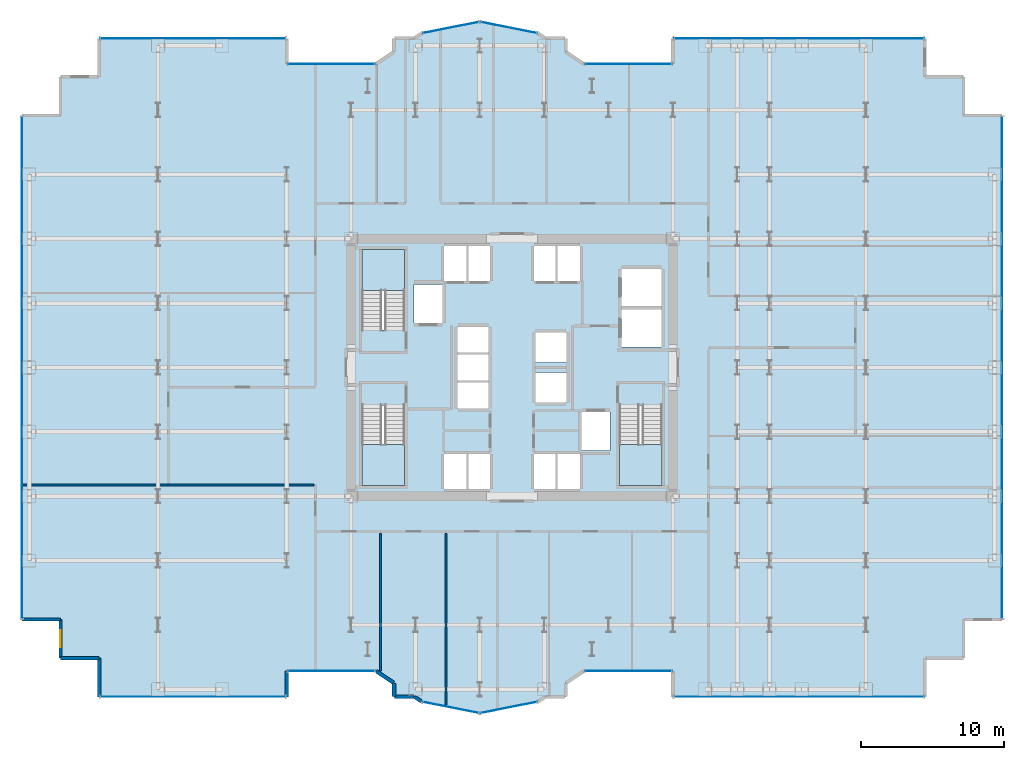
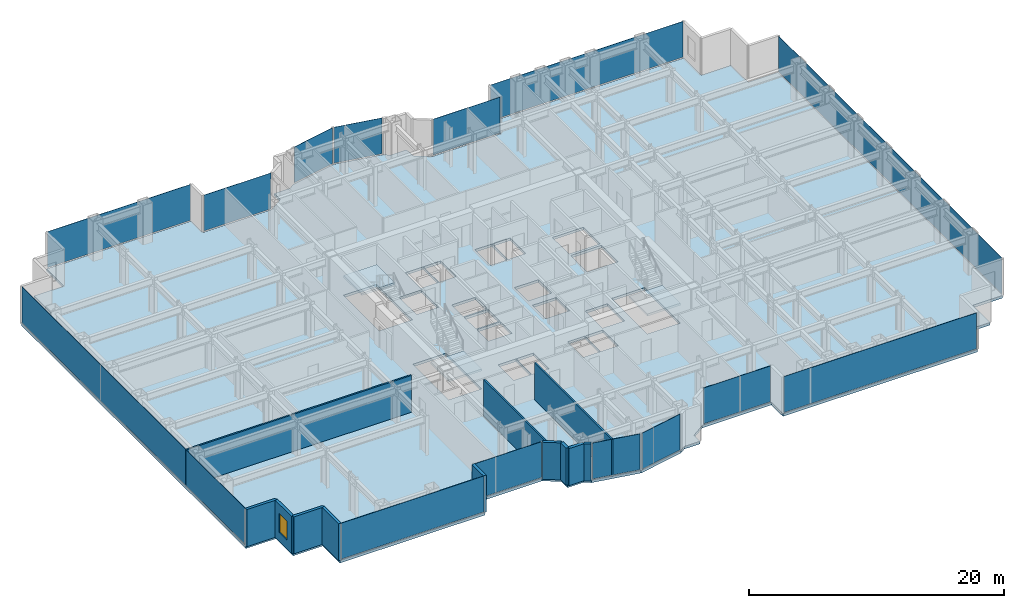
# One storey, part 19 of 26: 14 plates, 12 walls, 4 slabs, 1 window, 1 opening, 17 elements without a shape of their own.
"""IFC4 building model written with IfcOpenShell, lengths in metres."""

from ifc_helpers import new_model, si_unit, direction, frame, frame_2d, origin, origin_2d, place, context, subcontext, project, spatial, polyline, rectangle, outline, extrude, source, transform, mapped, material, layer, layer_set, type_object, element, fill, aggregate, save


model = new_model("IFC4")

# Units and contexts
model_context = context("Model", 3, precision=1e-05, world=origin(), true_north=direction((0.0, 1.0)))
body_context = subcontext(model_context, "Body", "Model", "MODEL_VIEW")
ifc_project = project(units=[si_unit("LENGTHUNIT", "METRE"), si_unit("AREAUNIT", "SQUARE_METRE"), si_unit("VOLUMEUNIT", "CUBIC_METRE"), si_unit("PLANEANGLEUNIT", "RADIAN"), si_unit("MASSUNIT", "GRAM", prefix="KILO")], contexts=[model_context])

# Site, building, storey
site_placement = place(None, origin())
site = spatial("IfcSite", under=ifc_project, at=site_placement, CompositionType="ELEMENT")
building_placement = place(site_placement, origin())
building = spatial("IfcBuilding", under=site, at=building_placement, Name="Nefas-Gora Pilgrimage Tower", CompositionType="ELEMENT")
storey_placement = place(building_placement, frame((0.0, 0.0, 40.60009765625)))
storey = spatial("IfcBuildingStorey", under=building, at=storey_placement, Name="L08", CompositionType="ELEMENT", Elevation=40.60009765625)

# Slab
ifc_material_1 = material(Name="Concrete C40/50", Category="concrete")
ifc_layer_1 = layer(ifc_material_1, 0.25)
ifc_layer_set_1 = layer_set([ifc_layer_1], Name="Concrete C40/50")
slab_type_1 = type_object("IfcSlabType", Name="SLB-TWR-250", PredefinedType="FLOOR", material=ifc_layer_set_1)
slab_1_placement = place(storey_placement, frame((0.0, 0.0, -0.25)))
element("IfcSlab", 1, at=slab_1_placement, inside=storey, type_object=slab_type_1, Name="L08 Structural Floor Slab", PredefinedType="FLOOR", context=body_context, shape_type="SweptSolid", body=[
    extrude(outline(polyline([(5.01806640625, -21.219970703125), (11.25, -21.219970703125), (11.25, -23.02001953125), (28.8701171875, -23.02001953125), (28.8701171875, -20.320068359375), (31.570068359375, -20.320068359375), (31.570068359375, -17.6201171875), (34.27001953125, -17.6201171875), (34.27001953125, 17.6201171875), (31.570068359375, 17.6201171875), (31.570068359375, 20.320068359375), (28.8701171875, 20.320068359375), (28.8701171875, 23.02001953125), (11.25, 23.02001953125), (11.25, 21.219970703125), (5.01806640625, 21.219970703125), (3.75, 22.0673828125), (3.75, 23.02001953125), (2.32421875, 23.02001953125), (1.807373046875, 23.365234375), (-2.25, 24.17236328125), (-6.307373046875, 23.365234375), (-6.82421875, 23.02001953125), (-8.25, 23.02001953125), (-8.25, 22.0673828125), (-9.51806640625, 21.219970703125), (-15.75, 21.219970703125), (-15.75, 23.02001953125), (-28.8701171875, 23.02001953125), (-28.8701171875, 20.320068359375), (-31.570068359375, 20.320068359375), (-31.570068359375, 17.6201171875), (-34.27001953125, 17.6201171875), (-34.27001953125, -17.6201171875), (-31.570068359375, -17.6201171875), (-31.570068359375, -20.320068359375), (-28.8701171875, -20.320068359375), (-28.8701171875, -23.02001953125), (-15.75, -23.02001953125), (-15.75, -21.219970703125), (-9.51806640625, -21.219970703125), (-8.25, -22.0673828125), (-8.25, -23.02001953125), (-6.82421875, -23.02001953125), (-6.307373046875, -23.365234375), (-2.25, -24.17236328125), (1.807373046875, -23.365234375), (2.32421875, -23.02001953125), (3.75, -23.02001953125), (3.75, -22.0673828125), (5.01806640625, -21.219970703125)]), holes=[polyline([(-10.5, 2.639892578125), (-10.5, 8.25), (-7.5, 8.25), (-7.5, 2.639892578125), (-10.5, 2.639892578125)]), polyline([(10.5, -2.639892578125), (10.5, -8.25), (7.5, -8.25), (7.5, -2.639892578125), (10.5, -2.639892578125)]), polyline([(-7.5, -2.639892578125), (-7.5, -8.25), (-10.5, -8.25), (-10.5, -2.639892578125), (-7.5, -2.639892578125)]), polyline([(-6.85009765625, 5.800048828125), (-4.85009765625, 5.800048828125), (-4.85009765625, 3.10009765625), (-6.85009765625, 3.10009765625), (-6.85009765625, 5.800048828125)]), polyline([(4.85009765625, -3.10009765625), (6.85009765625, -3.10009765625), (6.85009765625, -5.800048828125), (4.85009765625, -5.800048828125), (4.85009765625, -3.10009765625)]), polyline([(7.64990234375, 4.050048828125), (10.449951171875, 4.050048828125), (10.449951171875, 1.449951171875), (7.64990234375, 1.449951171875), (7.64990234375, 4.050048828125)]), polyline([(7.64990234375, 6.89990234375), (10.449951171875, 6.89990234375), (10.449951171875, 4.300048828125), (7.64990234375, 4.300048828125), (7.64990234375, 6.89990234375)]), polyline([(-4.75, 8.5), (-3.14990234375, 8.5), (-3.14990234375, 6.050048828125), (-4.75, 6.050048828125), (-4.75, 8.5)]), polyline([(-3.10009765625, 8.5), (-1.550048828125, 8.5), (-1.550048828125, 6.050048828125), (-3.10009765625, 6.050048828125), (-3.10009765625, 8.5)]), polyline([(1.550048828125, 8.5), (3.10009765625, 8.5), (3.10009765625, 6.050048828125), (1.550048828125, 6.050048828125), (1.550048828125, 8.5)]), polyline([(3.14990234375, 8.5), (4.75, 8.5), (4.75, 6.050048828125), (3.14990234375, 6.050048828125), (3.14990234375, 8.5)]), polyline([(-4.75, -6.050048828125), (-3.14990234375, -6.050048828125), (-3.14990234375, -8.5), (-4.75, -8.5), (-4.75, -6.050048828125)]), polyline([(-3.10009765625, -6.050048828125), (-1.550048828125, -6.050048828125), (-1.550048828125, -8.5), (-3.10009765625, -8.5), (-3.10009765625, -6.050048828125)]), polyline([(1.550048828125, -6.050048828125), (3.10009765625, -6.050048828125), (3.10009765625, -8.5), (1.550048828125, -8.5), (1.550048828125, -6.050048828125)]), polyline([(3.14990234375, -6.050048828125), (4.75, -6.050048828125), (4.75, -8.5), (3.14990234375, -8.5), (3.14990234375, -6.050048828125)]), polyline([(-3.800048828125, -1.050048828125), (-1.64990234375, -1.050048828125), (-1.64990234375, -2.85009765625), (-3.800048828125, -2.85009765625), (-3.800048828125, -1.050048828125)]), polyline([(-3.800048828125, 0.89990234375), (-1.64990234375, 0.89990234375), (-1.64990234375, -0.89990234375), (-3.800048828125, -0.89990234375), (-3.800048828125, 0.89990234375)]), polyline([(-3.800048828125, 2.85009765625), (-1.64990234375, 2.85009765625), (-1.64990234375, 1.050048828125), (-3.800048828125, 1.050048828125), (-3.800048828125, 2.85009765625)]), polyline([(1.64990234375, -0.35009765625), (3.800048828125, -0.35009765625), (3.800048828125, -2.449951171875), (1.64990234375, -2.449951171875), (1.64990234375, -0.35009765625)]), polyline([(1.64990234375, 2.449951171875), (3.800048828125, 2.449951171875), (3.800048828125, 0.35009765625), (1.64990234375, 0.35009765625), (1.64990234375, 2.449951171875)])]), origin(), (0.0, 0.0, 1.0), 0.25),
])

# Stair, slab
ifc_material_2 = material(Name="Concrete C45/55", Category="concrete")
stair_type = type_object("IfcStairType", Name="STR-1400-R1727", PredefinedType="HALF_TURN_STAIR", material=ifc_material_2)
stair_1_placement = place(storey_placement, origin())
stair_1 = element("IfcStair", 2, at=stair_1_placement, inside=storey, type_object=stair_type, Name="L08 Pressurised Tower Exit Stair ST-01", PredefinedType="HALF_TURN_STAIR")
ifc_layer_2 = layer(ifc_material_1, 0.199951171875)
ifc_layer_set_2 = layer_set([ifc_layer_2], Name="Concrete C40/50")
slab_type_2 = type_object("IfcSlabType", Name="STR-LAND-200", PredefinedType="LANDING", material=ifc_layer_set_2)
slab_2_placement = place(storey_placement, frame((0.0, 0.0, 1.699951171875)))
slab_2 = element("IfcSlab", 3, at=slab_2_placement, type_object=slab_type_2, Name="ST-01 landing 1", PredefinedType="LANDING", context=body_context, shape_type="SweptSolid", body=[
    extrude(outline(polyline([(-7.5, 5.39990234375), (-7.5, 8.25), (-10.5, 8.25), (-10.5, 5.39990234375), (-7.5, 5.39990234375)])), origin(), (0.0, 0.0, 1.0), 0.199951171875),
])
aggregate(stair_1, [slab_2])

stair_2_placement = place(storey_placement, origin())
stair_2 = element("IfcStair", 4, at=stair_2_placement, inside=storey, type_object=stair_type, Name="L08 Pressurised Tower Exit Stair ST-02", PredefinedType="HALF_TURN_STAIR")
slab_3_placement = place(storey_placement, frame((0.0, 0.0, 1.699951171875)))
slab_3 = element("IfcSlab", 5, at=slab_3_placement, type_object=slab_type_2, Name="ST-02 landing 1", PredefinedType="LANDING", context=body_context, shape_type="SweptSolid", body=[
    extrude(outline(polyline([(7.5, -5.39990234375), (7.5, -8.25), (10.5, -8.25), (10.5, -5.39990234375), (7.5, -5.39990234375)])), origin(), (0.0, 0.0, 1.0), 0.199951171875),
])
aggregate(stair_2, [slab_3])

stair_3_placement = place(storey_placement, origin())
stair_3 = element("IfcStair", 6, at=stair_3_placement, inside=storey, type_object=stair_type, Name="L08 Pressurised Tower Exit Stair ST-03", PredefinedType="HALF_TURN_STAIR")
slab_4_placement = place(storey_placement, frame((0.0, 0.0, 1.699951171875)))
slab_4 = element("IfcSlab", 7, at=slab_4_placement, type_object=slab_type_2, Name="ST-03 landing 1", PredefinedType="LANDING", context=body_context, shape_type="SweptSolid", body=[
    extrude(outline(polyline([(-10.5, -5.39990234375), (-10.5, -8.25), (-7.5, -8.25), (-7.5, -5.39990234375), (-10.5, -5.39990234375)])), origin(), (0.0, 0.0, 1.0), 0.199951171875),
])
aggregate(stair_3, [slab_4])

# Curtain wall, plate
ifc_material_3 = material(Name="Dark ceramic-fritted solar-control aluminium-glass curtain wall", Category="aluminium")
ifc_layer_3 = layer(ifc_material_3, 0.219970703125)
ifc_layer_set_3 = layer_set([ifc_layer_3], Name="Dark ceramic-fritted solar-control aluminium-glass curtain wall")
curtain_wall_type_1 = type_object("IfcCurtainWallType", Name="CW-SYS-5", PredefinedType="NOTDEFINED", material=ifc_layer_set_3)
curtain_wall_1_placement = place(storey_placement, origin())
curtain_wall_1 = element("IfcCurtainWall", 8, at=curtain_wall_1_placement, inside=storey, type_object=curtain_wall_type_1, Name="L08 Unitised Curtain Wall CW5", PredefinedType="NOTDEFINED")
ifc_material_4 = material(Name="Dark ceramic-printed low-e insulated glass", Category="glass")
ifc_layer_4 = layer(ifc_material_4, 0.028076171875)
ifc_layer_set_4 = layer_set([ifc_layer_4], Name="Dark ceramic-printed low-e insulated glass")
plate_type_1 = type_object("IfcPlateType", Name="CWP-PNL-5", PredefinedType="CURTAIN_PANEL", material=ifc_layer_set_4)
shared_shape_1 = source(origin(), body_context, "Body", "SweptSolid", [
    extrude(rectangle(XDim=6.052001953125, YDim=0.028076171875, at=origin_2d()), origin(), (0.0, 0.0, 1.0), 3.43994140625),
])
plate_1_placement = place(storey_placement, frame((8.134033203125, -21.219970703125, 0.099853515625), z_axis=(0.0, 0.0, 1.0), x_axis=(1.0, 0.0, 0.0)))
plate_1 = element("IfcPlate", 9, at=plate_1_placement, type_object=plate_type_1, Name="CW5 Ceramic-Fritted Glazing Panel 1", PredefinedType="CURTAIN_PANEL", context=body_context, shape_type="MappedRepresentation", body=[
    mapped(shared_shape_1, transform((0.0, 0.0, 0.0), x_axis=(1.0, 0.0, 0.0), y_axis=(0.0, 1.0, 0.0), z_axis=(0.0, 0.0, 1.0), scale=1.0)),
])
aggregate(curtain_wall_1, [plate_1])

curtain_wall_2_placement = place(storey_placement, origin())
curtain_wall_2 = element("IfcCurtainWall", 10, at=curtain_wall_2_placement, inside=storey, type_object=curtain_wall_type_1, Name="L08 Unitised Curtain Wall CW5", PredefinedType="NOTDEFINED")
plate_2_placement = place(storey_placement, frame((8.134033203125, 21.219970703125, 0.099853515625), z_axis=(0.0, 0.0, 1.0), x_axis=(-1.0, 0.0, 0.0)))
plate_2 = element("IfcPlate", 11, at=plate_2_placement, type_object=plate_type_1, Name="CW5 Ceramic-Fritted Glazing Panel 1", PredefinedType="CURTAIN_PANEL", context=body_context, shape_type="MappedRepresentation", body=[
    mapped(shared_shape_1, transform((0.0, 0.0, 0.0), x_axis=(1.0, 0.0, 0.0), y_axis=(0.0, 1.0, 0.0), z_axis=(0.0, 0.0, 1.0), scale=1.0)),
])
aggregate(curtain_wall_2, [plate_2])

curtain_wall_3_placement = place(storey_placement, origin())
curtain_wall_3 = element("IfcCurtainWall", 12, at=curtain_wall_3_placement, inside=storey, type_object=curtain_wall_type_1, Name="L08 Unitised Curtain Wall CW5", PredefinedType="NOTDEFINED")
plate_3_placement = place(storey_placement, frame((-12.634033203125, 21.219970703125, 0.099853515625), z_axis=(0.0, 0.0, 1.0), x_axis=(-1.0, 0.0, 0.0)))
plate_3 = element("IfcPlate", 13, at=plate_3_placement, type_object=plate_type_1, Name="CW5 Ceramic-Fritted Glazing Panel 1", PredefinedType="CURTAIN_PANEL", context=body_context, shape_type="MappedRepresentation", body=[
    mapped(shared_shape_1, transform((0.0, 0.0, 0.0), x_axis=(1.0, 0.0, 0.0), y_axis=(0.0, 1.0, 0.0), z_axis=(0.0, 0.0, 1.0), scale=1.0)),
])
aggregate(curtain_wall_3, [plate_3])

curtain_wall_4_placement = place(storey_placement, origin())
curtain_wall_4 = element("IfcCurtainWall", 14, at=curtain_wall_4_placement, inside=storey, type_object=curtain_wall_type_1, Name="L08 Unitised Curtain Wall CW5", PredefinedType="NOTDEFINED")
plate_4_placement = place(storey_placement, frame((-12.634033203125, -21.219970703125, 0.099853515625), z_axis=(0.0, 0.0, 1.0), x_axis=(1.0, 0.0, 0.0)))
plate_4 = element("IfcPlate", 15, at=plate_4_placement, type_object=plate_type_1, Name="CW5 Ceramic-Fritted Glazing Panel 1", PredefinedType="CURTAIN_PANEL", context=body_context, shape_type="MappedRepresentation", body=[
    mapped(shared_shape_1, transform((0.0, 0.0, 0.0), x_axis=(1.0, 0.0, 0.0), y_axis=(0.0, 1.0, 0.0), z_axis=(0.0, 0.0, 1.0), scale=1.0)),
])
aggregate(curtain_wall_4, [plate_4])

ifc_layer_5 = layer(ifc_material_3, 0.219970703125)
ifc_layer_set_5 = layer_set([ifc_layer_5], Name="Dark ceramic-fritted solar-control aluminium-glass curtain wall")
curtain_wall_type_2 = type_object("IfcCurtainWallType", Name="CW-SYS-2", PredefinedType="NOTDEFINED", material=ifc_layer_set_5)
curtain_wall_5_placement = place(storey_placement, origin())
curtain_wall_5 = element("IfcCurtainWall", 16, at=curtain_wall_5_placement, inside=storey, type_object=curtain_wall_type_2, Name="L08 Unitised Curtain Wall CW2", PredefinedType="NOTDEFINED")
ifc_layer_6 = layer(ifc_material_4, 0.031982421875)
ifc_layer_set_6 = layer_set([ifc_layer_6], Name="Dark ceramic-printed low-e insulated glass")
plate_type_2 = type_object("IfcPlateType", Name="CWP-PNL-2", PredefinedType="CURTAIN_PANEL", material=ifc_layer_set_6)
shared_shape_2 = source(origin(), body_context, "Body", "SweptSolid", [
    extrude(rectangle(XDim=17.43994140625, YDim=0.031982421875, at=origin_2d()), origin(), (0.0, 0.0, 1.0), 3.43994140625),
])
plate_5_placement = place(storey_placement, frame((20.06005859375, -23.02001953125, 0.099853515625), z_axis=(0.0, 0.0, 1.0), x_axis=(1.0, 0.0, 0.0)))
plate_5 = element("IfcPlate", 17, at=plate_5_placement, type_object=plate_type_2, Name="CW2 Ceramic-Fritted Glazing Panel 1", PredefinedType="CURTAIN_PANEL", context=body_context, shape_type="MappedRepresentation", body=[
    mapped(shared_shape_2, transform((0.0, 0.0, 0.0), x_axis=(1.0, 0.0, 0.0), y_axis=(0.0, 1.0, 0.0), z_axis=(0.0, 0.0, 1.0), scale=1.0)),
])
aggregate(curtain_wall_5, [plate_5])

curtain_wall_6_placement = place(storey_placement, origin())
curtain_wall_6 = element("IfcCurtainWall", 18, at=curtain_wall_6_placement, inside=storey, type_object=curtain_wall_type_2, Name="L08 Unitised Curtain Wall CW2", PredefinedType="NOTDEFINED")
plate_6_placement = place(storey_placement, frame((20.06005859375, 23.02001953125, 0.099853515625), z_axis=(0.0, 0.0, 1.0), x_axis=(-1.0, 0.0, 0.0)))
plate_6 = element("IfcPlate", 19, at=plate_6_placement, type_object=plate_type_2, Name="CW2 Ceramic-Fritted Glazing Panel 1", PredefinedType="CURTAIN_PANEL", context=body_context, shape_type="MappedRepresentation", body=[
    mapped(shared_shape_2, transform((0.0, 0.0, 0.0), x_axis=(1.0, 0.0, 0.0), y_axis=(0.0, 1.0, 0.0), z_axis=(0.0, 0.0, 1.0), scale=1.0)),
])
aggregate(curtain_wall_6, [plate_6])

curtain_wall_7_placement = place(storey_placement, origin())
curtain_wall_7 = element("IfcCurtainWall", 20, at=curtain_wall_7_placement, inside=storey, type_object=curtain_wall_type_1, Name="L08 Unitised Curtain Wall CW5", PredefinedType="NOTDEFINED")
shared_shape_3 = source(origin(), body_context, "Body", "SweptSolid", [
    extrude(rectangle(XDim=3.956787109375, YDim=0.028076171875, at=origin_2d()), origin(), (0.0, 0.0, 1.0), 3.43994140625),
])
plate_7_placement = place(storey_placement, frame((-0.22119140625, 23.768798828125, 0.099853515625), z_axis=(0.0, 0.0, 1.0), x_axis=(-0.980782896852, 0.195102304554, 0.0)))
plate_7 = element("IfcPlate", 21, at=plate_7_placement, type_object=plate_type_1, Name="CW5 Ceramic-Fritted Glazing Panel 1", PredefinedType="CURTAIN_PANEL", context=body_context, shape_type="MappedRepresentation", body=[
    mapped(shared_shape_3, transform((0.0, 0.0, 0.0), x_axis=(1.0, 0.0, 0.0), y_axis=(0.0, 1.0, 0.0), z_axis=(0.0, 0.0, 1.0), scale=1.0)),
])
aggregate(curtain_wall_7, [plate_7])

curtain_wall_8_placement = place(storey_placement, origin())
curtain_wall_8 = element("IfcCurtainWall", 22, at=curtain_wall_8_placement, inside=storey, type_object=curtain_wall_type_1, Name="L08 Unitised Curtain Wall CW5", PredefinedType="NOTDEFINED")
plate_8_placement = place(storey_placement, frame((-4.278564453125, 23.768798828125, 0.099853515625), z_axis=(0.0, 0.0, 1.0), x_axis=(-0.980782896852, -0.195102304554, 0.0)))
plate_8 = element("IfcPlate", 23, at=plate_8_placement, type_object=plate_type_1, Name="CW5 Ceramic-Fritted Glazing Panel 1", PredefinedType="CURTAIN_PANEL", context=body_context, shape_type="MappedRepresentation", body=[
    mapped(shared_shape_3, transform((0.0, 0.0, 0.0), x_axis=(1.0, 0.0, 0.0), y_axis=(0.0, 1.0, 0.0), z_axis=(0.0, 0.0, 1.0), scale=1.0)),
])
aggregate(curtain_wall_8, [plate_8])

curtain_wall_9_placement = place(storey_placement, origin())
curtain_wall_9 = element("IfcCurtainWall", 24, at=curtain_wall_9_placement, inside=storey, type_object=curtain_wall_type_1, Name="L08 Unitised Curtain Wall CW5", PredefinedType="NOTDEFINED")
plate_9_placement = place(storey_placement, frame((-4.278564453125, -23.768798828125, 0.099853515625), z_axis=(0.0, 0.0, 1.0), x_axis=(0.980782896852, -0.195102304554, 0.0)))
plate_9 = element("IfcPlate", 25, at=plate_9_placement, type_object=plate_type_1, Name="CW5 Ceramic-Fritted Glazing Panel 1", PredefinedType="CURTAIN_PANEL", context=body_context, shape_type="MappedRepresentation", body=[
    mapped(shared_shape_3, transform((0.0, 0.0, 0.0), x_axis=(1.0, 0.0, 0.0), y_axis=(0.0, 1.0, 0.0), z_axis=(0.0, 0.0, 1.0), scale=1.0)),
])
aggregate(curtain_wall_9, [plate_9])

curtain_wall_10_placement = place(storey_placement, origin())
curtain_wall_10 = element("IfcCurtainWall", 26, at=curtain_wall_10_placement, inside=storey, type_object=curtain_wall_type_1, Name="L08 Unitised Curtain Wall CW5", PredefinedType="NOTDEFINED")
plate_10_placement = place(storey_placement, frame((-0.221435546875, -23.768798828125, 0.099853515625), z_axis=(0.0, 0.0, 1.0), x_axis=(0.980782896852, 0.195102304554, 0.0)))
plate_10 = element("IfcPlate", 27, at=plate_10_placement, type_object=plate_type_1, Name="CW5 Ceramic-Fritted Glazing Panel 1", PredefinedType="CURTAIN_PANEL", context=body_context, shape_type="MappedRepresentation", body=[
    mapped(shared_shape_3, transform((0.0, 0.0, 0.0), x_axis=(1.0, 0.0, 0.0), y_axis=(0.0, 1.0, 0.0), z_axis=(0.0, 0.0, 1.0), scale=1.0)),
])
aggregate(curtain_wall_10, [plate_10])

curtain_wall_11_placement = place(storey_placement, origin())
curtain_wall_11 = element("IfcCurtainWall", 28, at=curtain_wall_11_placement, inside=storey, type_object=curtain_wall_type_2, Name="L08 Unitised Curtain Wall CW2", PredefinedType="NOTDEFINED")
shared_shape_4 = source(origin(), body_context, "Body", "SweptSolid", [
    extrude(rectangle(XDim=12.93994140625, YDim=0.031982421875, at=origin_2d()), origin(), (0.0, 0.0, 1.0), 3.43994140625),
])
plate_11_placement = place(storey_placement, frame((-22.31005859375, 23.02001953125, 0.099853515625), z_axis=(0.0, 0.0, 1.0), x_axis=(-1.0, 0.0, 0.0)))
plate_11 = element("IfcPlate", 29, at=plate_11_placement, type_object=plate_type_2, Name="CW2 Ceramic-Fritted Glazing Panel 1", PredefinedType="CURTAIN_PANEL", context=body_context, shape_type="MappedRepresentation", body=[
    mapped(shared_shape_4, transform((0.0, 0.0, 0.0), x_axis=(1.0, 0.0, 0.0), y_axis=(0.0, 1.0, 0.0), z_axis=(0.0, 0.0, 1.0), scale=1.0)),
])
aggregate(curtain_wall_11, [plate_11])

curtain_wall_12_placement = place(storey_placement, origin())
curtain_wall_12 = element("IfcCurtainWall", 30, at=curtain_wall_12_placement, inside=storey, type_object=curtain_wall_type_2, Name="L08 Unitised Curtain Wall CW2", PredefinedType="NOTDEFINED")
plate_12_placement = place(storey_placement, frame((-22.31005859375, -23.02001953125, 0.099853515625), z_axis=(0.0, 0.0, 1.0), x_axis=(1.0, 0.0, 0.0)))
plate_12 = element("IfcPlate", 31, at=plate_12_placement, type_object=plate_type_2, Name="CW2 Ceramic-Fritted Glazing Panel 1", PredefinedType="CURTAIN_PANEL", context=body_context, shape_type="MappedRepresentation", body=[
    mapped(shared_shape_4, transform((0.0, 0.0, 0.0), x_axis=(1.0, 0.0, 0.0), y_axis=(0.0, 1.0, 0.0), z_axis=(0.0, 0.0, 1.0), scale=1.0)),
])
aggregate(curtain_wall_12, [plate_12])

curtain_wall_13_placement = place(storey_placement, origin())
curtain_wall_13 = element("IfcCurtainWall", 32, at=curtain_wall_13_placement, inside=storey, type_object=curtain_wall_type_2, Name="L08 Unitised Curtain Wall CW2", PredefinedType="NOTDEFINED")
shared_shape_5 = source(origin(), body_context, "Body", "SweptSolid", [
    extrude(rectangle(XDim=35.06005859375, YDim=0.031982421875, at=origin_2d()), origin(), (0.0, 0.0, 1.0), 3.43994140625),
])
plate_13_placement = place(storey_placement, frame((34.27001953125, 0.0, 0.099853515625), z_axis=(0.0, 0.0, 1.0), x_axis=(0.0, 1.0, 0.0)))
plate_13 = element("IfcPlate", 33, at=plate_13_placement, type_object=plate_type_2, Name="CW2 Ceramic-Fritted Glazing Panel 1", PredefinedType="CURTAIN_PANEL", context=body_context, shape_type="MappedRepresentation", body=[
    mapped(shared_shape_5, transform((0.0, 0.0, 0.0), x_axis=(1.0, 0.0, 0.0), y_axis=(0.0, 1.0, 0.0), z_axis=(0.0, 0.0, 1.0), scale=1.0)),
])
aggregate(curtain_wall_13, [plate_13])

curtain_wall_14_placement = place(storey_placement, origin())
curtain_wall_14 = element("IfcCurtainWall", 34, at=curtain_wall_14_placement, inside=storey, type_object=curtain_wall_type_2, Name="L08 Unitised Curtain Wall CW2", PredefinedType="NOTDEFINED")
plate_14_placement = place(storey_placement, frame((-34.27001953125, 0.0, 0.099853515625), z_axis=(0.0, 0.0, 1.0), x_axis=(0.0, -1.0, 0.0)))
plate_14 = element("IfcPlate", 35, at=plate_14_placement, type_object=plate_type_2, Name="CW2 Ceramic-Fritted Glazing Panel 1", PredefinedType="CURTAIN_PANEL", context=body_context, shape_type="MappedRepresentation", body=[
    mapped(shared_shape_5, transform((0.0, 0.0, 0.0), x_axis=(1.0, 0.0, 0.0), y_axis=(0.0, 1.0, 0.0), z_axis=(0.0, 0.0, 1.0), scale=1.0)),
])
aggregate(curtain_wall_14, [plate_14])

# Walls
ifc_material_5 = material(Name="Precast concrete C40/50", Category="concrete")
ifc_layer_7 = layer(ifc_material_5, 0.260009765625)
ifc_layer_set_7 = layer_set([ifc_layer_7], Name="Precast concrete C40/50")
wall_type_1 = type_object("IfcWallType", Name="EW-PORTAL-260", PredefinedType="SOLIDWALL", material=ifc_layer_set_7)
shared_shape_6 = source(origin(), body_context, "Body", "SweptSolid", [
    extrude(rectangle(XDim=1.800048828125, YDim=0.260009765625, at=frame_2d((0.89990234375, 0.0))), origin(), (0.0, 0.0, 1.0), 3.5498046875),
])
wall_1_placement = place(storey_placement, frame((-15.75, -23.02001953125, 0.0), z_axis=(0.0, 0.0, 1.0), x_axis=(0.0, 1.0, 0.0)))
element("IfcWall", 36, at=wall_1_placement, inside=storey, type_object=wall_type_1, Name="L08 Lobe Shoulder Precast Spandrel Pier 28", PredefinedType="SOLIDWALL", context=body_context, shape_type="MappedRepresentation", body=[
    mapped(shared_shape_6, transform((0.0, 0.0, 0.0), x_axis=(1.0, 0.0, 0.0), y_axis=(0.0, 1.0, 0.0), z_axis=(0.0, 0.0, 1.0), scale=1.0)),
])
ifc_material_6 = material(Name="Precast concrete C45/55", Category="concrete")
ifc_layer_8 = layer(ifc_material_6, 0.239990234375)
ifc_layer_set_8 = layer_set([ifc_layer_8], Name="Precast concrete C45/55")
wall_type_2 = type_object("IfcWallType", Name="EW-SERR-240", PredefinedType="SHEAR", material=ifc_layer_set_8)
shared_shape_7 = source(origin(), body_context, "Body", "SweptSolid", [
    extrude(rectangle(XDim=2.699951171875, YDim=0.239990234375, at=frame_2d((1.35009765625, 0.0))), origin(), (0.0, 0.0, 1.0), 3.5498046875),
])
wall_2_placement = place(storey_placement, frame((-34.27001953125, -17.6201171875, 0.0), z_axis=(0.0, 0.0, 1.0), x_axis=(1.0, 0.0, 0.0)))
element("IfcWall", 37, at=wall_2_placement, inside=storey, type_object=wall_type_2, Name="L08 Serrated Corner Shear Pier Wall 24", PredefinedType="SHEAR", context=body_context, shape_type="MappedRepresentation", body=[
    mapped(shared_shape_7, transform((0.0, 0.0, 0.0), x_axis=(1.0, 0.0, 0.0), y_axis=(0.0, 1.0, 0.0), z_axis=(0.0, 0.0, 1.0), scale=1.0)),
])

# Wall, opening, window
wall_3_placement = place(storey_placement, frame((-31.570068359375, -17.6201171875, 0.0), z_axis=(0.0, 0.0, 1.0), x_axis=(0.0, -1.0, 0.0)))
wall_3 = element("IfcWall", 38, at=wall_3_placement, inside=storey, type_object=wall_type_2, Name="L08 Serrated Corner Shear Pier Wall 25", PredefinedType="SHEAR", context=body_context, shape_type="MappedRepresentation", body=[
    mapped(shared_shape_7, transform((0.0, 0.0, 0.0), x_axis=(1.0, 0.0, 0.0), y_axis=(0.0, 1.0, 0.0), z_axis=(0.0, 0.0, 1.0), scale=1.0)),
])
opening_placement = place(wall_3_placement, frame((0.75, 0.0, 0.85009765625)))
opening = element("IfcOpeningElement", 39, at=opening_placement, cuts=wall_3, Name="Opening W-V1", PredefinedType="OPENING", context=body_context, shape_type="SweptSolid", body=[
    extrude(rectangle(XDim=1.199951171875, YDim=1.800048828125, at=frame_2d((0.60009765625, 0.89990234375))), frame((0.0, 0.1298828125, 0.0), z_axis=(0.0, -1.0, 0.0), x_axis=(1.0, 0.0, 0.0)), (0.0, 0.0, 1.0), 0.260009765625),
])
ifc_material_7 = material(Name="Dark ceramic-fritted operable aluminium-glass window", Category="aluminium")
window_type = type_object("IfcWindowType", Name="WIN-VENT-1200x1800", PartitioningType="SINGLE_PANEL", PredefinedType="WINDOW", material=ifc_material_7)
shared_shape_8 = source(origin(), body_context, "Body", "SweptSolid", [
    extrude(rectangle(XDim=1.199951171875, YDim=1.800048828125, at=frame_2d((0.60009765625, 0.89990234375))), frame((0.0, 0.030029296875, 0.0), z_axis=(0.0, -1.0, 0.0), x_axis=(1.0, 0.0, 0.0)), (0.0, 0.0, 1.0), 0.06005859375),
])
window_placement = place(opening_placement, origin())
window = element("IfcWindow", 40, at=window_placement, inside=storey, type_object=window_type, Name="L08 Operable Parallel-Outswing Window 25", OverallHeight=1.800048828125, OverallWidth=1.199951171875, PartitioningType="SINGLE_PANEL", PredefinedType="WINDOW", context=body_context, shape_type="MappedRepresentation", body=[
    mapped(shared_shape_8, transform((0.0, 0.0, 0.0), x_axis=(1.0, 0.0, 0.0), y_axis=(0.0, 1.0, 0.0), z_axis=(0.0, 0.0, 1.0), scale=1.0)),
])
fill(opening, window)

# Walls
for number, where, z_axis, x_axis, name in (
    (41, (-31.570068359375, -20.320068359375, 0.0), (0.0, 0.0, 1.0), (1.0, 0.0, 0.0), "L08 Serrated Corner Shear Pier Wall 26"),
    (42, (-28.8701171875, -20.320068359375, 0.0), (0.0, 0.0, 1.0), (0.0, -1.0, 0.0), "L08 Serrated Corner Shear Pier Wall 27"),
):
    element("IfcWall", number, at=place(storey_placement, frame(where, z_axis=z_axis, x_axis=x_axis)), inside=storey, type_object=wall_type_2, Name=name, PredefinedType="SHEAR", context=body_context, shape_type="MappedRepresentation", body=[
        mapped(shared_shape_7, transform((0.0, 0.0, 0.0), x_axis=(1.0, 0.0, 0.0), y_axis=(0.0, 1.0, 0.0), z_axis=(0.0, 0.0, 1.0), scale=1.0)),
    ])
shared_shape_9 = source(origin(), body_context, "Body", "SweptSolid", [
    extrude(rectangle(XDim=1.468994140625, YDim=0.260009765625, at=frame_2d((0.734375, 0.0))), origin(), (0.0, 0.0, 1.0), 3.5498046875),
])
wall_4_placement = place(storey_placement, frame((-9.49462890625, -21.235595703125, 0.0), z_axis=(0.0, 0.0, 1.0), x_axis=(0.831461760506, -0.555581983884, 0.0)))
element("IfcWall", 43, at=wall_4_placement, inside=storey, type_object=wall_type_1, Name="L08 Lobe Shoulder Precast Spandrel Pier 29", PredefinedType="SOLIDWALL", context=body_context, shape_type="MappedRepresentation", body=[
    mapped(shared_shape_9, transform((0.0, 0.0, 0.0), x_axis=(1.0, 0.0, 0.0), y_axis=(0.0, 1.0, 0.0), z_axis=(0.0, 0.0, 1.0), scale=1.0)),
])
shared_shape_10 = source(origin(), body_context, "Body", "SweptSolid", [
    extrude(rectangle(XDim=0.896728515625, YDim=0.260009765625, at=frame_2d((0.4482421875, 0.0))), origin(), (0.0, 0.0, 1.0), 3.5498046875),
])
wall_5_placement = place(storey_placement, frame((-8.25, -22.09521484375, 0.0), z_axis=(0.0, 0.0, 1.0), x_axis=(0.0, -1.0, 0.0)))
element("IfcWall", 44, at=wall_5_placement, inside=storey, type_object=wall_type_1, Name="L08 Lobe Shoulder Precast Spandrel Pier 30", PredefinedType="SOLIDWALL", context=body_context, shape_type="MappedRepresentation", body=[
    mapped(shared_shape_10, transform((0.0, 0.0, 0.0), x_axis=(1.0, 0.0, 0.0), y_axis=(0.0, 1.0, 0.0), z_axis=(0.0, 0.0, 1.0), scale=1.0)),
])
shared_shape_11 = source(origin(), body_context, "Body", "SweptSolid", [
    extrude(rectangle(XDim=1.369873046875, YDim=0.260009765625, at=frame_2d((0.68505859375, 0.0))), origin(), (0.0, 0.0, 1.0), 3.5498046875),
])
wall_6_placement = place(storey_placement, frame((-8.221923828125, -23.02001953125, 0.0), z_axis=(0.0, 0.0, 1.0), x_axis=(1.0, 0.0, 0.0)))
element("IfcWall", 45, at=wall_6_placement, inside=storey, type_object=wall_type_1, Name="L08 Lobe Shoulder Precast Spandrel Pier 31", PredefinedType="SOLIDWALL", context=body_context, shape_type="MappedRepresentation", body=[
    mapped(shared_shape_11, transform((0.0, 0.0, 0.0), x_axis=(1.0, 0.0, 0.0), y_axis=(0.0, 1.0, 0.0), z_axis=(0.0, 0.0, 1.0), scale=1.0)),
])
shared_shape_12 = source(origin(), body_context, "Body", "SweptSolid", [
    extrude(rectangle(XDim=0.5654296875, YDim=0.260009765625, at=frame_2d((0.28271484375, 0.0))), origin(), (0.0, 0.0, 1.0), 3.5498046875),
])
wall_7_placement = place(storey_placement, frame((-6.80078125, -23.03564453125, 0.0), z_axis=(0.0, 0.0, 1.0), x_axis=(0.831651492666, -0.555297933317, 0.0)))
element("IfcWall", 46, at=wall_7_placement, inside=storey, type_object=wall_type_1, Name="L08 Lobe Shoulder Precast Spandrel Pier 32", PredefinedType="SOLIDWALL", context=body_context, shape_type="MappedRepresentation", body=[
    mapped(shared_shape_12, transform((0.0, 0.0, 0.0), x_axis=(1.0, 0.0, 0.0), y_axis=(0.0, 1.0, 0.0), z_axis=(0.0, 0.0, 1.0), scale=1.0)),
])
ifc_material_8 = material(Name="Gypsum twin-stud partition")
ifc_layer_9 = layer(ifc_material_8, 0.139892578125)
ifc_layer_set_9 = layer_set([ifc_layer_9], Name="Gypsum twin-stud partition")
wall_type_3 = type_object("IfcWallType", Name="IW-UNIT-140", PredefinedType="PARTITIONING", material=ifc_layer_set_9)
shared_shape_13 = source(origin(), body_context, "Body", "SweptSolid", [
    extrude(rectangle(XDim=9.636962890625, YDim=0.139892578125, at=frame_2d((4.818359375, 0.0))), origin(), (0.0, 0.0, 1.0), 3.534912109375),
])
wall_8_placement = place(storey_placement, frame((-9.205078125, -21.22705078125, 0.0), z_axis=(0.0, 0.0, 1.0), x_axis=(0.0, 1.0, 0.0)))
element("IfcWall", 47, at=wall_8_placement, inside=storey, type_object=wall_type_3, Name="L08 Pilgrim Contemplative Lounge Partition Wall 57", PredefinedType="PARTITIONING", context=body_context, shape_type="MappedRepresentation", body=[
    mapped(shared_shape_13, transform((0.0, 0.0, 0.0), x_axis=(1.0, 0.0, 0.0), y_axis=(0.0, 1.0, 0.0), z_axis=(0.0, 0.0, 1.0), scale=1.0)),
])
shared_shape_14 = source(origin(), body_context, "Body", "SweptSolid", [
    extrude(rectangle(XDim=12.13623046875, YDim=0.139892578125, at=frame_2d((6.068115234375, 0.0))), origin(), (0.0, 0.0, 1.0), 3.534912109375),
])
wall_9_placement = place(storey_placement, frame((-4.60498046875, -23.726318359375, 0.0), z_axis=(0.0, 0.0, 1.0), x_axis=(0.0, 1.0, 0.0)))
element("IfcWall", 48, at=wall_9_placement, inside=storey, type_object=wall_type_3, Name="L08 Pilgrim Contemplative Lounge Partition Wall 59", PredefinedType="PARTITIONING", context=body_context, shape_type="MappedRepresentation", body=[
    mapped(shared_shape_14, transform((0.0, 0.0, 0.0), x_axis=(1.0, 0.0, 0.0), y_axis=(0.0, 1.0, 0.0), z_axis=(0.0, 0.0, 1.0), scale=1.0)),
])
shared_shape_15 = source(origin(), body_context, "Body", "SweptSolid", [
    extrude(rectangle(XDim=20.429931640625, YDim=0.139892578125, at=frame_2d((10.21484375, 0.0))), origin(), (0.0, 0.0, 1.0), 3.534912109375),
])
wall_10_placement = place(storey_placement, frame((-34.2900390625, -8.205078125, 0.0), z_axis=(0.0, 0.0, 1.0), x_axis=(1.0, 0.0, 0.0)))
element("IfcWall", 49, at=wall_10_placement, inside=storey, type_object=wall_type_3, Name="L08 Pilgrim Tea and Beverage Pantry Partition Wall 29", PredefinedType="PARTITIONING", context=body_context, shape_type="MappedRepresentation", body=[
    mapped(shared_shape_15, transform((0.0, 0.0, 0.0), x_axis=(1.0, 0.0, 0.0), y_axis=(0.0, 1.0, 0.0), z_axis=(0.0, 0.0, 1.0), scale=1.0)),
])

save(model, "model.ifc")
